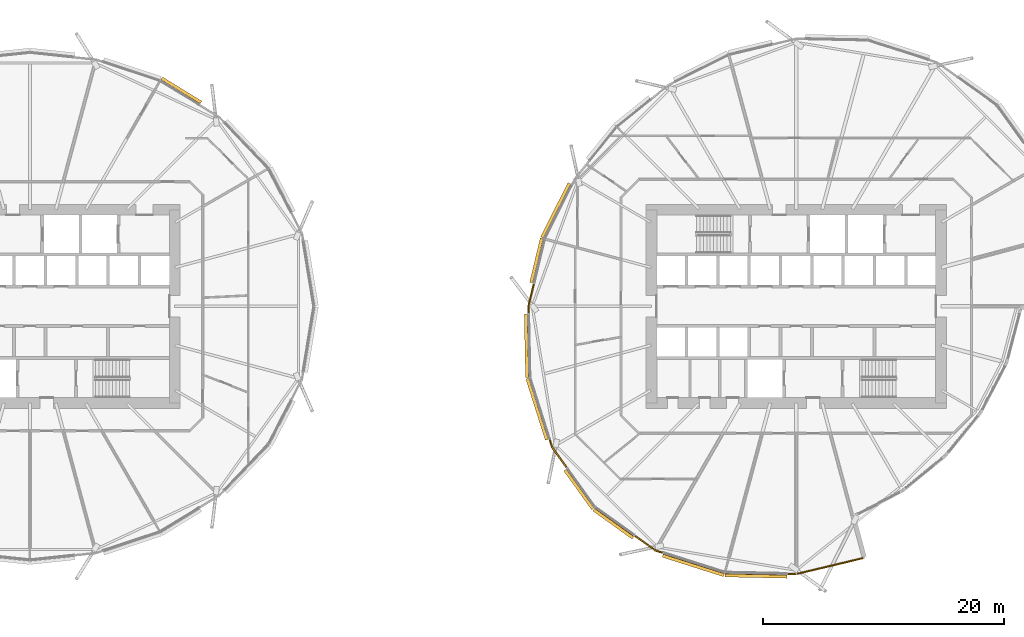
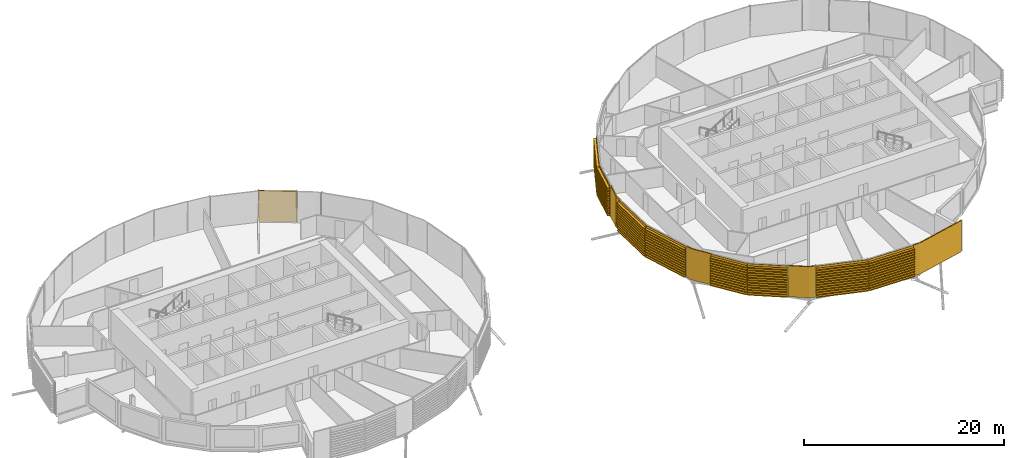
# One storey, part 36 of 38: 13 coverings.
"""IFC4 building model written with IfcOpenShell, lengths in metres."""

from ifc_helpers import new_model, si_unit, direction, frame, origin, place, context, subcontext, project, spatial, polyline, outline, extrude, material, layer, layer_set, material_profile, profile_set, type_object, element, save


model = new_model("IFC4")

# Units and contexts
model_context = context("Model", 3, precision=1e-05, world=origin(), true_north=direction((0.0, 1.0)))
body_context = subcontext(model_context, "Body", "Model", "MODEL_VIEW")
ifc_project = project(units=[si_unit("LENGTHUNIT", "METRE"), si_unit("AREAUNIT", "SQUARE_METRE"), si_unit("VOLUMEUNIT", "CUBIC_METRE"), si_unit("PLANEANGLEUNIT", "RADIAN"), si_unit("MASSUNIT", "GRAM", prefix="KILO")], contexts=[model_context])

# Site, building, storey
site_placement = place(None, origin())
site = spatial("IfcSite", under=ifc_project, at=site_placement, CompositionType="ELEMENT")
building_placement = place(site_placement, origin())
building = spatial("IfcBuilding", under=site, at=building_placement, Name="Rimbun Link Towers", CompositionType="ELEMENT")
storey_placement = place(building_placement, frame((0.0, 0.0, 71.800048828125)))
storey = spatial("IfcBuildingStorey", under=building, at=storey_placement, Name="L17", CompositionType="ELEMENT", Elevation=71.800048828125)

# Coverings
ifc_material_1 = material(Name="Terracotta", Category="masonry")
ifc_layer = layer(ifc_material_1, 0.1201171875)
ifc_layer_set = layer_set([ifc_layer], Name="LINK PIER terracotta cladding 120")
covering_type_1 = type_object("IfcCoveringType", Name="LINK PIER terracotta cladding 120", PredefinedType="CLADDING", material=ifc_layer_set)
covering_1_placement = place(storey_placement, origin())
element("IfcCovering", 1, at=covering_1_placement, inside=storey, type_object=covering_type_1, Name="LINK PIER cladding", PredefinedType="CLADDING", context=body_context, shape_type="SweptSolid", body=[
    extrude(outline(polyline([(9.634033203125, -0.619873046875), (9.62109375, 0.0), (10.067626953125, 1.867431640625), (9.950927734375, 1.895263671875), (9.500732421875, 0.012939453125), (9.51416015625, -0.622314453125), (9.634033203125, -0.619873046875)])), origin(), (0.0, 0.0, 1.0), 3.800048828125),
])
covering_2_placement = place(storey_placement, origin())
element("IfcCovering", 2, at=covering_2_placement, inside=storey, type_object=covering_type_1, Name="LINK PIER cladding", PredefinedType="CLADDING", context=body_context, shape_type="SweptSolid", body=[
    extrude(outline(polyline([(12.810546875, -13.370849609375), (11.574462890625, -11.648193359375), (11.371337890625, -11.009765625), (11.257080078125, -11.046142578125), (11.4658203125, -11.702880859375), (12.712890625, -13.440673828125), (12.810546875, -13.370849609375)])), origin(), (0.0, 0.0, 1.0), 3.800048828125),
])
covering_3_placement = place(storey_placement, origin())
element("IfcCovering", 3, at=covering_3_placement, inside=storey, type_object=covering_type_1, Name="LINK PIER cladding", PredefinedType="CLADDING", context=body_context, shape_type="SweptSolid", body=[
    extrude(outline(polyline([(20.740234375, -20.378662109375), (20.101806640625, -20.175537109375), (18.419921875, -18.96875), (18.349853515625, -19.066162109375), (20.047119140625, -20.2841796875), (20.703857421875, -20.492919921875), (20.740234375, -20.378662109375)])), origin(), (0.0, 0.0, 1.0), 3.800048828125),
])
covering_4_placement = place(storey_placement, origin())
element("IfcCovering", 4, at=covering_4_placement, inside=storey, type_object=covering_type_1, Name="LINK PIER cladding", PredefinedType="CLADDING", context=body_context, shape_type="SweptSolid", body=[
    extrude(outline(polyline([(37.293212890625, -20.80322265625), (31.75, -22.12890625), (31.0302734375, -22.11376953125), (31.027587890625, -22.23388671875), (31.762939453125, -22.249267578125), (37.321044921875, -20.919921875), (37.293212890625, -20.80322265625)])), origin(), (0.0, 0.0, 1.0), 3.800048828125),
])
ifc_material_2 = material(Name="Terracotta", Category="masonry")
ifc_material_profile = material_profile(ifc_material_2, outline(polyline([(0.123046875, 0.0), (0.1630859375, 0.0), (0.1630859375, 0.10009765625), (0.423095703125, 0.10009765625), (0.423095703125, 0.219970703125), (0.1630859375, 0.219970703125), (0.1630859375, 0.39990234375), (0.423095703125, 0.39990234375), (0.423095703125, 0.52001953125), (0.1630859375, 0.52001953125), (0.1630859375, 0.699951171875), (0.423095703125, 0.699951171875), (0.423095703125, 0.820068359375), (0.1630859375, 0.820068359375), (0.1630859375, 1.0), (0.423095703125, 1.0), (0.423095703125, 1.1201171875), (0.1630859375, 1.1201171875), (0.1630859375, 1.300048828125), (0.423095703125, 1.300048828125), (0.423095703125, 1.419921875), (0.1630859375, 1.419921875), (0.1630859375, 1.60009765625), (0.423095703125, 1.60009765625), (0.423095703125, 1.719970703125), (0.1630859375, 1.719970703125), (0.1630859375, 1.89990234375), (0.423095703125, 1.89990234375), (0.423095703125, 2.02001953125), (0.1630859375, 2.02001953125), (0.1630859375, 2.199951171875), (0.423095703125, 2.199951171875), (0.423095703125, 2.320068359375), (0.1630859375, 2.320068359375), (0.1630859375, 2.5), (0.423095703125, 2.5), (0.423095703125, 2.6201171875), (0.1630859375, 2.6201171875), (0.1630859375, 2.800048828125), (0.423095703125, 2.800048828125), (0.423095703125, 2.919921875), (0.1630859375, 2.919921875), (0.1630859375, 3.10009765625), (0.423095703125, 3.10009765625), (0.423095703125, 3.219970703125), (0.1630859375, 3.219970703125), (0.1630859375, 3.39990234375), (0.423095703125, 3.39990234375), (0.423095703125, 3.52001953125), (0.1630859375, 3.52001953125), (0.1630859375, 3.800048828125), (0.123046875, 3.800048828125), (0.123046875, 0.0)])), Name="BAGUETTE 120X300")
ifc_profile_set = profile_set([ifc_material_profile], Name="Terracotta")
covering_type_2 = type_object("IfcCoveringType", Name="TERRACOTTA BAGUETTE 120X300 H3800", PredefinedType="CLADDING", material=ifc_profile_set)
covering_5_placement = place(storey_placement, frame((-20.985107421875, 18.6455078125, 0.0), z_axis=(0.852211619155, -0.523197244046, 0.0), x_axis=(0.523197244046, 0.852211619155, 0.0)))
element("IfcCovering", 5, at=covering_5_placement, inside=storey, type_object=covering_type_2, Name="TERRACOTTA BAGUETTE", PredefinedType="CLADDING", context=body_context, shape_type="SweptSolid", body=[
    extrude(outline(polyline([(0.123046875, 0.0), (0.1630859375, 0.0), (0.1630859375, 0.10009765625), (0.423095703125, 0.10009765625), (0.423095703125, 0.219970703125), (0.1630859375, 0.219970703125), (0.1630859375, 0.39990234375), (0.423095703125, 0.39990234375), (0.423095703125, 0.52001953125), (0.1630859375, 0.52001953125), (0.1630859375, 0.699951171875), (0.423095703125, 0.699951171875), (0.423095703125, 0.820068359375), (0.1630859375, 0.820068359375), (0.1630859375, 1.0), (0.423095703125, 1.0), (0.423095703125, 1.1201171875), (0.1630859375, 1.1201171875), (0.1630859375, 1.300048828125), (0.423095703125, 1.300048828125), (0.423095703125, 1.419921875), (0.1630859375, 1.419921875), (0.1630859375, 1.60009765625), (0.423095703125, 1.60009765625), (0.423095703125, 1.719970703125), (0.1630859375, 1.719970703125), (0.1630859375, 1.89990234375), (0.423095703125, 1.89990234375), (0.423095703125, 2.02001953125), (0.1630859375, 2.02001953125), (0.1630859375, 2.199951171875), (0.423095703125, 2.199951171875), (0.423095703125, 2.320068359375), (0.1630859375, 2.320068359375), (0.1630859375, 2.5), (0.423095703125, 2.5), (0.423095703125, 2.6201171875), (0.1630859375, 2.6201171875), (0.1630859375, 2.800048828125), (0.423095703125, 2.800048828125), (0.423095703125, 2.919921875), (0.1630859375, 2.919921875), (0.1630859375, 3.10009765625), (0.423095703125, 3.10009765625), (0.423095703125, 3.219970703125), (0.1630859375, 3.219970703125), (0.1630859375, 3.39990234375), (0.423095703125, 3.39990234375), (0.423095703125, 3.52001953125), (0.1630859375, 3.52001953125), (0.1630859375, 3.800048828125), (0.123046875, 3.800048828125), (0.123046875, 0.0)])), origin(), (0.0, 0.0, 1.0), 3.82958984375),
])
covering_6_placement = place(storey_placement, frame((10.95361328125, 5.572509765625, 0.0), z_axis=(0.448804323468, 0.893630057259, 0.0), x_axis=(-0.893630057259, 0.448804323468, 0.0)))
element("IfcCovering", 6, at=covering_6_placement, inside=storey, type_object=covering_type_2, Name="TERRACOTTA BAGUETTE", PredefinedType="CLADDING", context=body_context, shape_type="SweptSolid", body=[
    extrude(outline(polyline([(0.123046875, 0.0), (0.1630859375, 0.0), (0.1630859375, 0.10009765625), (0.423095703125, 0.10009765625), (0.423095703125, 0.219970703125), (0.1630859375, 0.219970703125), (0.1630859375, 0.39990234375), (0.423095703125, 0.39990234375), (0.423095703125, 0.52001953125), (0.1630859375, 0.52001953125), (0.1630859375, 0.699951171875), (0.423095703125, 0.699951171875), (0.423095703125, 0.820068359375), (0.1630859375, 0.820068359375), (0.1630859375, 1.0), (0.423095703125, 1.0), (0.423095703125, 1.1201171875), (0.1630859375, 1.1201171875), (0.1630859375, 1.300048828125), (0.423095703125, 1.300048828125), (0.423095703125, 1.419921875), (0.1630859375, 1.419921875), (0.1630859375, 1.60009765625), (0.423095703125, 1.60009765625), (0.423095703125, 1.719970703125), (0.1630859375, 1.719970703125), (0.1630859375, 1.89990234375), (0.423095703125, 1.89990234375), (0.423095703125, 2.02001953125), (0.1630859375, 2.02001953125), (0.1630859375, 2.199951171875), (0.423095703125, 2.199951171875), (0.423095703125, 2.320068359375), (0.1630859375, 2.320068359375), (0.1630859375, 2.5), (0.423095703125, 2.5), (0.423095703125, 2.6201171875), (0.1630859375, 2.6201171875), (0.1630859375, 2.800048828125), (0.423095703125, 2.800048828125), (0.423095703125, 2.919921875), (0.1630859375, 2.919921875), (0.1630859375, 3.10009765625), (0.423095703125, 3.10009765625), (0.423095703125, 3.219970703125), (0.1630859375, 3.219970703125), (0.1630859375, 3.39990234375), (0.423095703125, 3.39990234375), (0.423095703125, 3.52001953125), (0.1630859375, 3.52001953125), (0.1630859375, 3.800048828125), (0.123046875, 3.800048828125), (0.123046875, 0.0)])), origin(), (0.0, 0.0, 1.0), 5.03173828125),
])
covering_7_placement = place(storey_placement, frame((10.074462890625, 1.896484375, 0.0), z_axis=(0.232598449645, 0.972572856512, 0.0), x_axis=(-0.972572856512, 0.232598449645, 0.0)))
element("IfcCovering", 7, at=covering_7_placement, inside=storey, type_object=covering_type_2, Name="TERRACOTTA BAGUETTE", PredefinedType="CLADDING", context=body_context, shape_type="SweptSolid", body=[
    extrude(outline(polyline([(0.123046875, 0.0), (0.1630859375, 0.0), (0.1630859375, 0.10009765625), (0.423095703125, 0.10009765625), (0.423095703125, 0.219970703125), (0.1630859375, 0.219970703125), (0.1630859375, 0.39990234375), (0.423095703125, 0.39990234375), (0.423095703125, 0.52001953125), (0.1630859375, 0.52001953125), (0.1630859375, 0.699951171875), (0.423095703125, 0.699951171875), (0.423095703125, 0.820068359375), (0.1630859375, 0.820068359375), (0.1630859375, 1.0), (0.423095703125, 1.0), (0.423095703125, 1.1201171875), (0.1630859375, 1.1201171875), (0.1630859375, 1.300048828125), (0.423095703125, 1.300048828125), (0.423095703125, 1.419921875), (0.1630859375, 1.419921875), (0.1630859375, 1.60009765625), (0.423095703125, 1.60009765625), (0.423095703125, 1.719970703125), (0.1630859375, 1.719970703125), (0.1630859375, 1.89990234375), (0.423095703125, 1.89990234375), (0.423095703125, 2.02001953125), (0.1630859375, 2.02001953125), (0.1630859375, 2.199951171875), (0.423095703125, 2.199951171875), (0.423095703125, 2.320068359375), (0.1630859375, 2.320068359375), (0.1630859375, 2.5), (0.423095703125, 2.5), (0.423095703125, 2.6201171875), (0.1630859375, 2.6201171875), (0.1630859375, 2.800048828125), (0.423095703125, 2.800048828125), (0.423095703125, 2.919921875), (0.1630859375, 2.919921875), (0.1630859375, 3.10009765625), (0.423095703125, 3.10009765625), (0.423095703125, 3.219970703125), (0.1630859375, 3.219970703125), (0.1630859375, 3.39990234375), (0.423095703125, 3.39990234375), (0.423095703125, 3.52001953125), (0.1630859375, 3.52001953125), (0.1630859375, 3.800048828125), (0.123046875, 3.800048828125), (0.123046875, 0.0)])), origin(), (0.0, 0.0, 1.0), 3.77978515625),
])
covering_8_placement = place(storey_placement, frame((9.7451171875, -5.896240234375, 0.0), z_axis=(-0.021029365909, 0.999778858433, 0.0), x_axis=(-0.999778858433, -0.021029365909, 0.0)))
element("IfcCovering", 8, at=covering_8_placement, inside=storey, type_object=covering_type_2, Name="TERRACOTTA BAGUETTE", PredefinedType="CLADDING", context=body_context, shape_type="SweptSolid", body=[
    extrude(outline(polyline([(0.123046875, 0.0), (0.1630859375, 0.0), (0.1630859375, 0.10009765625), (0.423095703125, 0.10009765625), (0.423095703125, 0.219970703125), (0.1630859375, 0.219970703125), (0.1630859375, 0.39990234375), (0.423095703125, 0.39990234375), (0.423095703125, 0.52001953125), (0.1630859375, 0.52001953125), (0.1630859375, 0.699951171875), (0.423095703125, 0.699951171875), (0.423095703125, 0.820068359375), (0.1630859375, 0.820068359375), (0.1630859375, 1.0), (0.423095703125, 1.0), (0.423095703125, 1.1201171875), (0.1630859375, 1.1201171875), (0.1630859375, 1.300048828125), (0.423095703125, 1.300048828125), (0.423095703125, 1.419921875), (0.1630859375, 1.419921875), (0.1630859375, 1.60009765625), (0.423095703125, 1.60009765625), (0.423095703125, 1.719970703125), (0.1630859375, 1.719970703125), (0.1630859375, 1.89990234375), (0.423095703125, 1.89990234375), (0.423095703125, 2.02001953125), (0.1630859375, 2.02001953125), (0.1630859375, 2.199951171875), (0.423095703125, 2.199951171875), (0.423095703125, 2.320068359375), (0.1630859375, 2.320068359375), (0.1630859375, 2.5), (0.423095703125, 2.5), (0.423095703125, 2.6201171875), (0.1630859375, 2.6201171875), (0.1630859375, 2.800048828125), (0.423095703125, 2.800048828125), (0.423095703125, 2.919921875), (0.1630859375, 2.919921875), (0.1630859375, 3.10009765625), (0.423095703125, 3.10009765625), (0.423095703125, 3.219970703125), (0.1630859375, 3.219970703125), (0.1630859375, 3.39990234375), (0.423095703125, 3.39990234375), (0.423095703125, 3.52001953125), (0.1630859375, 3.52001953125), (0.1630859375, 3.800048828125), (0.123046875, 3.800048828125), (0.123046875, 0.0)])), origin(), (0.0, 0.0, 1.0), 5.24755859375),
])
covering_9_placement = place(storey_placement, frame((11.3623046875, -10.981201171875, 0.0), z_axis=(-0.303075233978, 0.952966632443, 0.0), x_axis=(-0.952966632443, -0.303075233978, 0.0)))
element("IfcCovering", 9, at=covering_9_placement, inside=storey, type_object=covering_type_2, Name="TERRACOTTA BAGUETTE", PredefinedType="CLADDING", context=body_context, shape_type="SweptSolid", body=[
    extrude(outline(polyline([(0.123046875, 0.0), (0.1630859375, 0.0), (0.1630859375, 0.10009765625), (0.423095703125, 0.10009765625), (0.423095703125, 0.219970703125), (0.1630859375, 0.219970703125), (0.1630859375, 0.39990234375), (0.423095703125, 0.39990234375), (0.423095703125, 0.52001953125), (0.1630859375, 0.52001953125), (0.1630859375, 0.699951171875), (0.423095703125, 0.699951171875), (0.423095703125, 0.820068359375), (0.1630859375, 0.820068359375), (0.1630859375, 1.0), (0.423095703125, 1.0), (0.423095703125, 1.1201171875), (0.1630859375, 1.1201171875), (0.1630859375, 1.300048828125), (0.423095703125, 1.300048828125), (0.423095703125, 1.419921875), (0.1630859375, 1.419921875), (0.1630859375, 1.60009765625), (0.423095703125, 1.60009765625), (0.423095703125, 1.719970703125), (0.1630859375, 1.719970703125), (0.1630859375, 1.89990234375), (0.423095703125, 1.89990234375), (0.423095703125, 2.02001953125), (0.1630859375, 2.02001953125), (0.1630859375, 2.199951171875), (0.423095703125, 2.199951171875), (0.423095703125, 2.320068359375), (0.1630859375, 2.320068359375), (0.1630859375, 2.5), (0.423095703125, 2.5), (0.423095703125, 2.6201171875), (0.1630859375, 2.6201171875), (0.1630859375, 2.800048828125), (0.423095703125, 2.800048828125), (0.423095703125, 2.919921875), (0.1630859375, 2.919921875), (0.1630859375, 3.10009765625), (0.423095703125, 3.10009765625), (0.423095703125, 3.219970703125), (0.1630859375, 3.219970703125), (0.1630859375, 3.39990234375), (0.423095703125, 3.39990234375), (0.423095703125, 3.52001953125), (0.1630859375, 3.52001953125), (0.1630859375, 3.800048828125), (0.123046875, 3.800048828125), (0.123046875, 0.0)])), origin(), (0.0, 0.0, 1.0), 5.3359375),
])
covering_10_placement = place(storey_placement, frame((15.136962890625, -16.613037109375, 0.0), z_axis=(-0.582991918252, 0.812477952472, 0.0), x_axis=(-0.812477952472, -0.582991918252, 0.0)))
element("IfcCovering", 10, at=covering_10_placement, inside=storey, type_object=covering_type_2, Name="TERRACOTTA BAGUETTE", PredefinedType="CLADDING", context=body_context, shape_type="SweptSolid", body=[
    extrude(outline(polyline([(0.123046875, 0.0), (0.1630859375, 0.0), (0.1630859375, 0.10009765625), (0.423095703125, 0.10009765625), (0.423095703125, 0.219970703125), (0.1630859375, 0.219970703125), (0.1630859375, 0.39990234375), (0.423095703125, 0.39990234375), (0.423095703125, 0.52001953125), (0.1630859375, 0.52001953125), (0.1630859375, 0.699951171875), (0.423095703125, 0.699951171875), (0.423095703125, 0.820068359375), (0.1630859375, 0.820068359375), (0.1630859375, 1.0), (0.423095703125, 1.0), (0.423095703125, 1.1201171875), (0.1630859375, 1.1201171875), (0.1630859375, 1.300048828125), (0.423095703125, 1.300048828125), (0.423095703125, 1.419921875), (0.1630859375, 1.419921875), (0.1630859375, 1.60009765625), (0.423095703125, 1.60009765625), (0.423095703125, 1.719970703125), (0.1630859375, 1.719970703125), (0.1630859375, 1.89990234375), (0.423095703125, 1.89990234375), (0.423095703125, 2.02001953125), (0.1630859375, 2.02001953125), (0.1630859375, 2.199951171875), (0.423095703125, 2.199951171875), (0.423095703125, 2.320068359375), (0.1630859375, 2.320068359375), (0.1630859375, 2.5), (0.423095703125, 2.5), (0.423095703125, 2.6201171875), (0.1630859375, 2.6201171875), (0.1630859375, 2.800048828125), (0.423095703125, 2.800048828125), (0.423095703125, 2.919921875), (0.1630859375, 2.919921875), (0.1630859375, 3.10009765625), (0.423095703125, 3.10009765625), (0.423095703125, 3.219970703125), (0.1630859375, 3.219970703125), (0.1630859375, 3.39990234375), (0.423095703125, 3.39990234375), (0.423095703125, 3.52001953125), (0.1630859375, 3.52001953125), (0.1630859375, 3.800048828125), (0.123046875, 3.800048828125), (0.123046875, 0.0)])), origin(), (0.0, 0.0, 1.0), 3.960693359375),
])
covering_11_placement = place(storey_placement, frame((18.3955078125, -18.951171875, 0.0), z_axis=(-0.812481209702, 0.582987378835, 0.0), x_axis=(-0.582987378835, -0.812481209702, 0.0)))
element("IfcCovering", 11, at=covering_11_placement, inside=storey, type_object=covering_type_2, Name="TERRACOTTA BAGUETTE", PredefinedType="CLADDING", context=body_context, shape_type="SweptSolid", body=[
    extrude(outline(polyline([(0.123046875, 0.0), (0.1630859375, 0.0), (0.1630859375, 0.10009765625), (0.423095703125, 0.10009765625), (0.423095703125, 0.219970703125), (0.1630859375, 0.219970703125), (0.1630859375, 0.39990234375), (0.423095703125, 0.39990234375), (0.423095703125, 0.52001953125), (0.1630859375, 0.52001953125), (0.1630859375, 0.699951171875), (0.423095703125, 0.699951171875), (0.423095703125, 0.820068359375), (0.1630859375, 0.820068359375), (0.1630859375, 1.0), (0.423095703125, 1.0), (0.423095703125, 1.1201171875), (0.1630859375, 1.1201171875), (0.1630859375, 1.300048828125), (0.423095703125, 1.300048828125), (0.423095703125, 1.419921875), (0.1630859375, 1.419921875), (0.1630859375, 1.60009765625), (0.423095703125, 1.60009765625), (0.423095703125, 1.719970703125), (0.1630859375, 1.719970703125), (0.1630859375, 1.89990234375), (0.423095703125, 1.89990234375), (0.423095703125, 2.02001953125), (0.1630859375, 2.02001953125), (0.1630859375, 2.199951171875), (0.423095703125, 2.199951171875), (0.423095703125, 2.320068359375), (0.1630859375, 2.320068359375), (0.1630859375, 2.5), (0.423095703125, 2.5), (0.423095703125, 2.6201171875), (0.1630859375, 2.6201171875), (0.1630859375, 2.800048828125), (0.423095703125, 2.800048828125), (0.423095703125, 2.919921875), (0.1630859375, 2.919921875), (0.1630859375, 3.10009765625), (0.423095703125, 3.10009765625), (0.423095703125, 3.219970703125), (0.1630859375, 3.219970703125), (0.1630859375, 3.39990234375), (0.423095703125, 3.39990234375), (0.423095703125, 3.52001953125), (0.1630859375, 3.52001953125), (0.1630859375, 3.800048828125), (0.123046875, 3.800048828125), (0.123046875, 0.0)])), origin(), (0.0, 0.0, 1.0), 4.010498046875),
])
covering_12_placement = place(storey_placement, frame((25.853759765625, -22.0048828125, 0.0), z_axis=(-0.952966632443, 0.303075233978, 0.0), x_axis=(-0.303075233978, -0.952966632443, 0.0)))
element("IfcCovering", 12, at=covering_12_placement, inside=storey, type_object=covering_type_2, Name="TERRACOTTA BAGUETTE", PredefinedType="CLADDING", context=body_context, shape_type="SweptSolid", body=[
    extrude(outline(polyline([(0.123046875, 0.0), (0.1630859375, 0.0), (0.1630859375, 0.10009765625), (0.423095703125, 0.10009765625), (0.423095703125, 0.219970703125), (0.1630859375, 0.219970703125), (0.1630859375, 0.39990234375), (0.423095703125, 0.39990234375), (0.423095703125, 0.52001953125), (0.1630859375, 0.52001953125), (0.1630859375, 0.699951171875), (0.423095703125, 0.699951171875), (0.423095703125, 0.820068359375), (0.1630859375, 0.820068359375), (0.1630859375, 1.0), (0.423095703125, 1.0), (0.423095703125, 1.1201171875), (0.1630859375, 1.1201171875), (0.1630859375, 1.300048828125), (0.423095703125, 1.300048828125), (0.423095703125, 1.419921875), (0.1630859375, 1.419921875), (0.1630859375, 1.60009765625), (0.423095703125, 1.60009765625), (0.423095703125, 1.719970703125), (0.1630859375, 1.719970703125), (0.1630859375, 1.89990234375), (0.423095703125, 1.89990234375), (0.423095703125, 2.02001953125), (0.1630859375, 2.02001953125), (0.1630859375, 2.199951171875), (0.423095703125, 2.199951171875), (0.423095703125, 2.320068359375), (0.1630859375, 2.320068359375), (0.1630859375, 2.5), (0.423095703125, 2.5), (0.423095703125, 2.6201171875), (0.1630859375, 2.6201171875), (0.1630859375, 2.800048828125), (0.423095703125, 2.800048828125), (0.423095703125, 2.919921875), (0.1630859375, 2.919921875), (0.1630859375, 3.10009765625), (0.423095703125, 3.10009765625), (0.423095703125, 3.219970703125), (0.1630859375, 3.219970703125), (0.1630859375, 3.39990234375), (0.423095703125, 3.39990234375), (0.423095703125, 3.52001953125), (0.1630859375, 3.52001953125), (0.1630859375, 3.800048828125), (0.123046875, 3.800048828125), (0.123046875, 0.0)])), origin(), (0.0, 0.0, 1.0), 5.3359375),
])
covering_13_placement = place(storey_placement, frame((31.000244140625, -22.11328125, 0.0), z_axis=(-0.999778256826, 0.021057948104, 0.0), x_axis=(-0.021057948104, -0.999778256826, 0.0)))
element("IfcCovering", 13, at=covering_13_placement, inside=storey, type_object=covering_type_2, Name="TERRACOTTA BAGUETTE", PredefinedType="CLADDING", context=body_context, shape_type="SweptSolid", body=[
    extrude(outline(polyline([(0.123046875, 0.0), (0.1630859375, 0.0), (0.1630859375, 0.10009765625), (0.423095703125, 0.10009765625), (0.423095703125, 0.219970703125), (0.1630859375, 0.219970703125), (0.1630859375, 0.39990234375), (0.423095703125, 0.39990234375), (0.423095703125, 0.52001953125), (0.1630859375, 0.52001953125), (0.1630859375, 0.699951171875), (0.423095703125, 0.699951171875), (0.423095703125, 0.820068359375), (0.1630859375, 0.820068359375), (0.1630859375, 1.0), (0.423095703125, 1.0), (0.423095703125, 1.1201171875), (0.1630859375, 1.1201171875), (0.1630859375, 1.300048828125), (0.423095703125, 1.300048828125), (0.423095703125, 1.419921875), (0.1630859375, 1.419921875), (0.1630859375, 1.60009765625), (0.423095703125, 1.60009765625), (0.423095703125, 1.719970703125), (0.1630859375, 1.719970703125), (0.1630859375, 1.89990234375), (0.423095703125, 1.89990234375), (0.423095703125, 2.02001953125), (0.1630859375, 2.02001953125), (0.1630859375, 2.199951171875), (0.423095703125, 2.199951171875), (0.423095703125, 2.320068359375), (0.1630859375, 2.320068359375), (0.1630859375, 2.5), (0.423095703125, 2.5), (0.423095703125, 2.6201171875), (0.1630859375, 2.6201171875), (0.1630859375, 2.800048828125), (0.423095703125, 2.800048828125), (0.423095703125, 2.919921875), (0.1630859375, 2.919921875), (0.1630859375, 3.10009765625), (0.423095703125, 3.10009765625), (0.423095703125, 3.219970703125), (0.1630859375, 3.219970703125), (0.1630859375, 3.39990234375), (0.423095703125, 3.39990234375), (0.423095703125, 3.52001953125), (0.1630859375, 3.52001953125), (0.1630859375, 3.800048828125), (0.123046875, 3.800048828125), (0.123046875, 0.0)])), origin(), (0.0, 0.0, 1.0), 5.147705078125),
])

save(model, "model.ifc")
